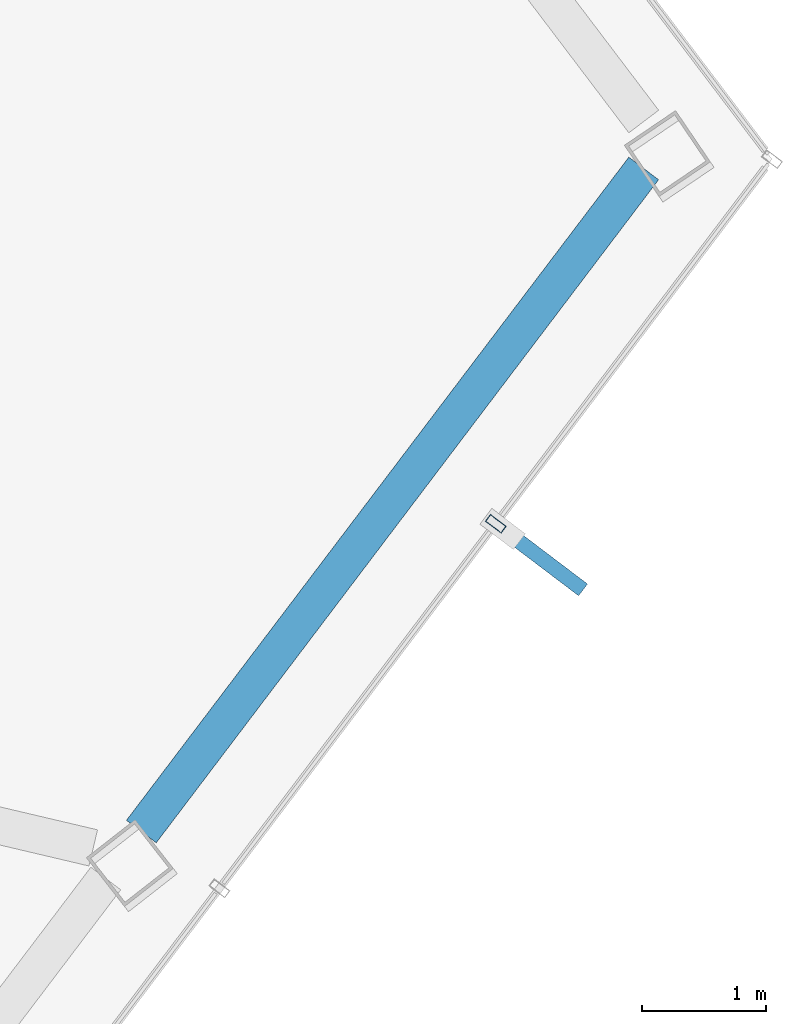
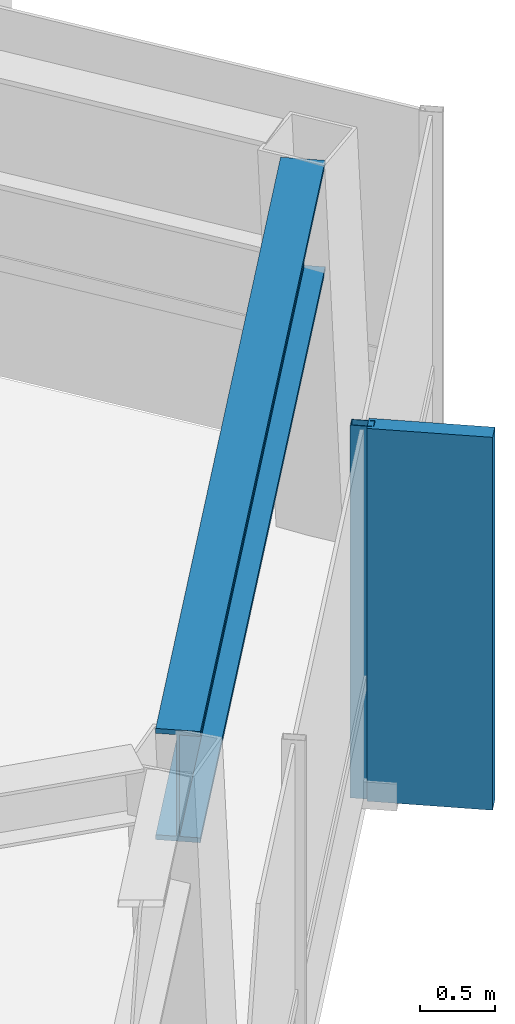
# One storey, part 18 of 24: 2 members, 1 beam, 1 element without a shape of its own.
"""IFC4 building model written with IfcOpenShell, lengths in metres."""

from ifc_helpers import new_model, si_unit, direction, frame, origin, origin_2d, place, context, subcontext, project, spatial, rectangle, hollow_rectangle, i_section, extrude, material, layer, layer_set, material_profile, profile_set, type_object, element, aggregate, save


model = new_model("IFC4")

# Units and contexts
model_context = context("Model", 3, precision=1e-05, world=origin(), true_north=direction((0.0, 1.0)))
body_context = subcontext(model_context, "Body", "Model", "MODEL_VIEW")
ifc_project = project(units=[si_unit("LENGTHUNIT", "METRE"), si_unit("AREAUNIT", "SQUARE_METRE"), si_unit("VOLUMEUNIT", "CUBIC_METRE"), si_unit("PLANEANGLEUNIT", "RADIAN"), si_unit("MASSUNIT", "GRAM", prefix="KILO")], contexts=[model_context])

# Site, building, storey
site_placement = place(None, origin())
site = spatial("IfcSite", under=ifc_project, at=site_placement, CompositionType="ELEMENT")
building_placement = place(site_placement, origin())
building = spatial("IfcBuilding", under=site, at=building_placement, Name="Zarrinselat Tower", CompositionType="ELEMENT")
storey_placement = place(building_placement, frame((0.0, 0.0, 249.56005859375)))
storey = spatial("IfcBuildingStorey", under=building, at=storey_placement, Name="L63", CompositionType="ELEMENT", Elevation=249.56005859375)

# Beam
ifc_material_1 = material(Name="Steel S460M", Category="steel")
ifc_material_profile_1 = material_profile(ifc_material_1, i_section(OverallWidth=0.302001953125, OverallDepth=0.909912109375, WebThickness=0.02099609375, FlangeThickness=0.0400390625, at=origin_2d()), Name="HEM 900")
ifc_profile_set_1 = profile_set([ifc_material_profile_1], Name="Steel S460M")
beam_type = type_object("IfcBeamType", Name="BM-HEM900", PredefinedType="BEAM", material=ifc_profile_set_1)
beam_placement = place(storey_placement, frame((56.31201171875, 36.94921875, 2.594970703125), z_axis=(0.603854892742, 0.797094265763, 0.0), x_axis=(-0.797094265763, 0.603854892742, 0.0)))
element("IfcBeam", 1, at=beam_placement, inside=storey, type_object=beam_type, Name="L63 Perimeter Spandrel Girder SP14", PredefinedType="BEAM", context=body_context, shape_type="SweptSolid", body=[
    extrude(i_section(OverallWidth=0.302001953125, OverallDepth=0.909912109375, WebThickness=0.02099609375, FlangeThickness=0.0400390625, at=origin_2d()), origin(), (0.0, 0.0, 1.0), 6.726318359375),
])

# Curtain wall, members
ifc_material_2 = material(Name="Extruded Aluminium Alloy EN AW-6063 T6", Category="aluminium")
ifc_layer = layer(ifc_material_2, 0.169921875)
ifc_layer_set = layer_set([ifc_layer], Name="Extruded Aluminium Alloy EN AW-6063 T6")
curtain_wall_type = type_object("IfcCurtainWallType", Name="CWS-RES", PredefinedType="NOTDEFINED", material=ifc_layer_set)
curtain_wall_placement = place(storey_placement, origin())
curtain_wall = element("IfcCurtainWall", 2, at=curtain_wall_placement, inside=storey, type_object=curtain_wall_type, Name="L63 Unitised Curtain Wall CW-L63-E05", PredefinedType="NOTDEFINED")
ifc_material_3 = material(Name="Extruded Aluminium Alloy EN AW-6063 T6", Category="aluminium")
ifc_material_profile_2 = material_profile(ifc_material_3, hollow_rectangle(XDim=0.070068359375, YDim=0.159912109375, WallThickness=0.00390625, at=origin_2d()), Name="RHS 160x70x4")
ifc_profile_set_2 = profile_set([ifc_material_profile_2], Name="Extruded Aluminium Alloy EN AW-6063 T6")
member_type_1 = type_object("IfcMemberType", Name="MEM-CW-MUL2", PredefinedType="MULLION", material=ifc_profile_set_2)
member_1_placement = place(storey_placement, frame((59.177734375, 39.437744140625, 0.0), z_axis=(0.0, 0.0, 1.0), x_axis=(0.603855865899, 0.797093528527, 0.0)))
member_1 = element("IfcMember", 3, at=member_1_placement, type_object=member_type_1, Name="CW-L63-E05 Mullion 7", PredefinedType="MULLION", context=body_context, shape_type="SweptSolid", body=[
    extrude(hollow_rectangle(XDim=0.070068359375, YDim=0.159912109375, WallThickness=0.00390625, at=origin_2d()), origin(), (0.0, 0.0, 1.0), 3.050048828125),
])
ifc_material_4 = material(Name="Honed Cream Travertine Stone", Category="masonry")
ifc_material_profile_3 = material_profile(ifc_material_4, rectangle(XDim=0.1201171875, YDim=0.85009765625, at=origin_2d()), Name="FIN 850x120")
ifc_profile_set_3 = profile_set([ifc_material_profile_3], Name="Honed Cream Travertine Stone")
member_type_2 = type_object("IfcMemberType", Name="MEM-STONE-FIN", PredefinedType="USERDEFINED", material=ifc_profile_set_3)
member_2_placement = place(storey_placement, frame((59.54443359375, 39.159912109375, 0.0), z_axis=(0.0, 0.0, 1.0), x_axis=(-0.603855865899, -0.797093528527, 0.0)))
member_2 = element("IfcMember", 4, at=member_2_placement, type_object=member_type_2, Name="L63 Stone Shading Fin CW-L63-E05-07", ObjectType="FIN", PredefinedType="USERDEFINED", context=body_context, shape_type="SweptSolid", body=[
    extrude(rectangle(XDim=0.1201171875, YDim=0.85009765625, at=origin_2d()), origin(), (0.0, 0.0, 1.0), 3.050048828125),
])
aggregate(curtain_wall, [member_1, member_2])

save(model, "model.ifc")
